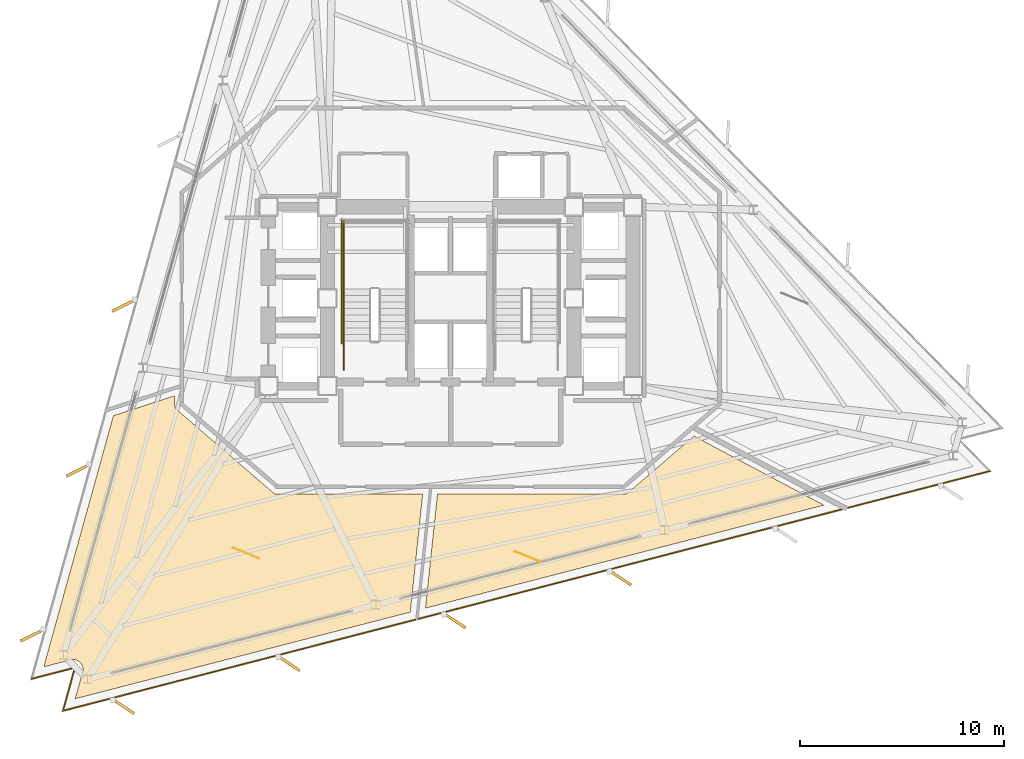
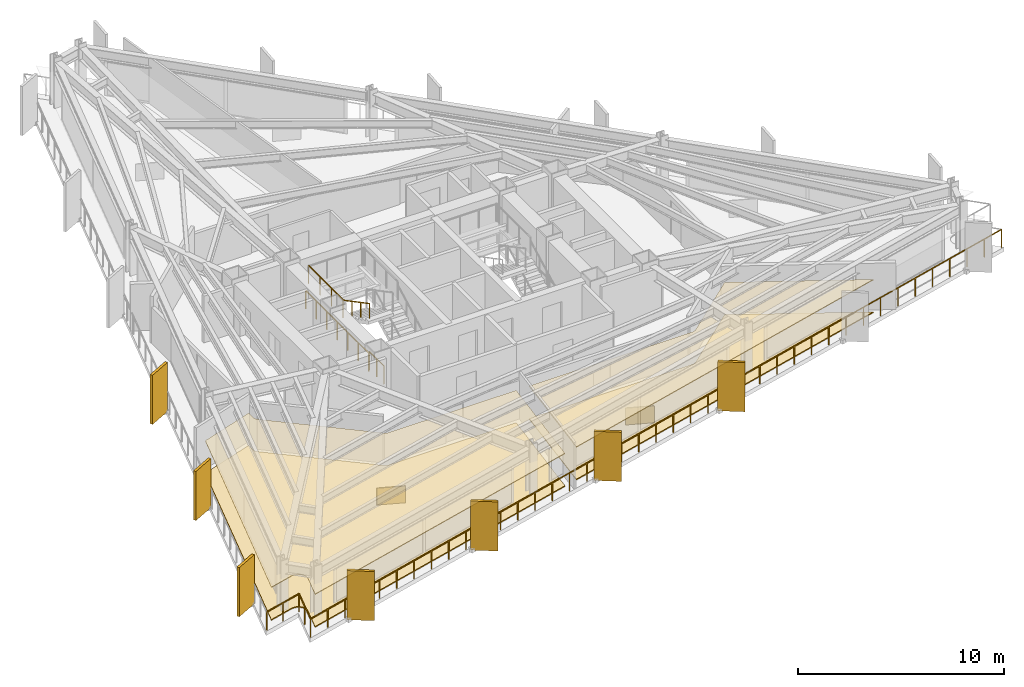
# One storey, part 9 of 11: 7 shading devices, 6 coverings, 5 railings.
"""IFC4 building model written with IfcOpenShell, lengths in metres."""

import ifcopenshell
import ifcopenshell.guid

model = None  # the IFC model being written
_history = None  # IfcOwnerHistory: only IFC2X3 demands one
_inside = {}  # id of a spatial element -> (the spatial element, [elements in it])
_under = {}  # id of a project, library or spatial element -> (it, [spatial elements below it])
_declared = {}  # id of a project -> (the project, [libraries it declares])
_typed = {}  # id of a type object -> (the type object, [elements of that type])
_made_of = {}  # id of a material, layer set ... -> (it, [elements and type objects made of it])


def new_model(schema):
    """Start an empty IFC model of exactly this schema.

    Asked for "IFC4X3", IfcOpenShell would pick the latest addendum, in which some entities
    have other attributes; the version numbers below select the first issue.
    IFC2X3 requires an IfcOwnerHistory on every rooted entity: one is made here for all.
    """
    global model, _history
    if schema == "IFC4X3":
        model = ifcopenshell.file(schema_version=(4, 3, 0, 0))
    else:
        model = ifcopenshell.file(schema=schema)
    _inside.clear()
    _under.clear()
    _declared.clear()
    _typed.clear()
    _made_of.clear()
    _history = None
    if model.schema == "IFC2X3":
        org = make("IfcOrganization", Name="unknown")
        user = make(
            "IfcPersonAndOrganization",
            ThePerson=make("IfcPerson", FamilyName="unknown"),
            TheOrganization=org,
        )
        app = make(
            "IfcApplication",
            ApplicationDeveloper=org,
            Version="unknown",
            ApplicationFullName="unknown",
            ApplicationIdentifier="unknown",
        )
        _history = make(
            "IfcOwnerHistory",
            OwningUser=user,
            OwningApplication=app,
            ChangeAction="ADDED",
            CreationDate=0,
        )
    return model


def make(cls, **values):
    """One entity of the class cls with the attributes given. An attribute that is None is left unset."""
    return model.create_entity(
        cls, **{name: value for name, value in values.items() if value is not None}
    )


def rooted(cls, **values):
    """An entity with a GlobalId (a new one), such as an element, a storey or a relation."""
    return make(cls, GlobalId=ifcopenshell.guid.new(), OwnerHistory=_history, **values)


def si_unit(unit_type, name, prefix=None):
    """IfcSIUnit, for example si_unit("LENGTHUNIT", "METRE", prefix="MILLI")."""
    return make("IfcSIUnit", UnitType=unit_type, Prefix=prefix, Name=name)


def assignment(units):
    """IfcUnitAssignment: the units of a project."""
    return None if units is None else make("IfcUnitAssignment", Units=units)


def point(xyz):
    """IfcCartesianPoint."""
    return None if xyz is None else make("IfcCartesianPoint", Coordinates=xyz)


def direction(xyz):
    """IfcDirection."""
    return None if xyz is None else make("IfcDirection", DirectionRatios=xyz)


def frame(location, z_axis=None, x_axis=None):
    """IfcAxis2Placement3D, a coordinate frame: its origin and axes. An axis left out is left unset."""
    return make(
        "IfcAxis2Placement3D",
        Location=point(location),
        Axis=direction(z_axis),
        RefDirection=direction(x_axis),
    )


def frame_2d(location, x_axis=None):
    """IfcAxis2Placement2D, a coordinate frame in the plane: its origin and x axis."""
    return make(
        "IfcAxis2Placement2D", Location=point(location), RefDirection=direction(x_axis)
    )


def origin():
    """The frame at (0, 0, 0) with its axes left unset."""
    return frame((0.0, 0.0, 0.0))


def origin_2d():
    """The frame at (0, 0) in the plane with its x axis left unset."""
    return frame_2d((0.0, 0.0))


def place(relative_to, where):
    """IfcLocalPlacement: puts the frame where relative to a parent placement (None: the world)."""
    return make(
        "IfcLocalPlacement", PlacementRelTo=relative_to, RelativePlacement=where
    )


def context(
    kind, dimensions, precision=None, world=None, true_north=None, identifier=None
):
    """IfcGeometricRepresentationContext, for example the 3D "Model" context."""
    return make(
        "IfcGeometricRepresentationContext",
        ContextIdentifier=identifier,
        ContextType=kind,
        CoordinateSpaceDimension=dimensions,
        Precision=precision,
        WorldCoordinateSystem=world,
        TrueNorth=true_north,
    )


def subcontext(parent, identifier, kind, view, scale=None):
    """IfcGeometricRepresentationSubContext, for example "Body" below "Model"."""
    return make(
        "IfcGeometricRepresentationSubContext",
        ContextIdentifier=identifier,
        ContextType=kind,
        ParentContext=parent,
        TargetScale=scale,
        TargetView=view,
    )


def project(units=None, contexts=None):
    """IfcProject with its units and contexts."""
    return rooted(
        "IfcProject",
        Name="project",
        RepresentationContexts=contexts,
        UnitsInContext=assignment(units),
    )


def spatial(cls, under=None, at=None, **own):
    """A site, building, storey or space (cls), placed at a placement, below another one or the project."""
    s = rooted(cls, ObjectPlacement=at, **own)
    if under is not None:
        _under.setdefault(under.id(), (under, []))[1].append(s)
    return s


def polyline(points):
    """IfcPolyline through the points."""
    return make("IfcPolyline", Points=[point(p) for p in points])


def profile(cls, at=None, kind="AREA", **sizes):
    """A parametric profile (cls). Its sizes go by their IFC names, for example OverallWidth=200.0."""
    return make(cls, ProfileType=kind, Position=at, **sizes)


def rectangle(**sizes):
    """IfcRectangleProfileDef."""
    return profile("IfcRectangleProfileDef", **sizes)


def outline(outer, holes=None, kind="AREA"):
    """IfcArbitraryClosedProfileDef: a profile drawn as a closed curve; with holes, ...WithVoids."""
    if holes is None:
        return make("IfcArbitraryClosedProfileDef", ProfileType=kind, OuterCurve=outer)
    return make(
        "IfcArbitraryProfileDefWithVoids",
        ProfileType=kind,
        OuterCurve=outer,
        InnerCurves=holes,
    )


def extrude(swept, where, along, depth):
    """IfcExtrudedAreaSolid: the profile swept, set in the frame where, extruded along a direction by depth."""
    return make(
        "IfcExtrudedAreaSolid",
        SweptArea=swept,
        Position=where,
        ExtrudedDirection=direction(along),
        Depth=depth,
    )


def shape(context_of_items, identifier, shape_type, items):
    """IfcShapeRepresentation: the items that make up one representation, for example the "Body"."""
    return make(
        "IfcShapeRepresentation",
        ContextOfItems=context_of_items,
        RepresentationIdentifier=identifier,
        RepresentationType=shape_type,
        Items=items,
    )


def material(Name=None, Category=None):
    """IfcMaterial."""
    return make("IfcMaterial", Name=Name, Category=Category)


def layer(
    of_material, thickness, ventilated=None, Name=None, Category=None, Priority=None
):
    """IfcMaterialLayer: one layer of a wall or slab, of a material (None: an air gap)."""
    return make(
        "IfcMaterialLayer",
        Material=of_material,
        LayerThickness=thickness,
        IsVentilated=ventilated,
        Name=Name,
        Category=Category,
        Priority=Priority,
    )


def layer_set(layers, Name=None):
    """IfcMaterialLayerSet."""
    return make("IfcMaterialLayerSet", MaterialLayers=layers, LayerSetName=Name)


def made_of(thing, what):
    """Note that an element or type object is made of a material, layer set ...; save() writes the relation."""
    if what is not None:
        _made_of.setdefault(what.id(), (what, []))[1].append(thing)
    return thing


def type_object(cls, material=None, **own):
    """A type object (cls), such as IfcWallType, which elements share."""
    return made_of(rooted(cls, **own), material)


def element(
    cls,
    number,
    at=None,
    inside=None,
    cuts=None,
    type_object=None,
    material=None,
    context=None,
    identifier="Body",
    shape_type=None,
    held_by="IfcProductDefinitionShape",
    body=None,
    shapes=None,
    **own,
):
    """One element of the class cls, such as IfcWall. Its Tag is "e" and its number.

    at: its placement. inside: the storey or other place that contains it. cuts: it is an
    opening in that element (IfcRelVoidsElement). A single representation is given by context,
    identifier, shape_type and body (its items); several are given by shapes. held_by: the class
    of the entity that holds the representations. save() writes the other relations.
    """
    e = rooted(cls, Tag="e%d" % number, ObjectPlacement=at, **own)
    if body is not None:
        shapes = [shape(context, identifier, shape_type, body)]
    if shapes is not None:
        e.Representation = make(held_by, Representations=shapes)
    if inside is not None:
        _inside.setdefault(inside.id(), (inside, []))[1].append(e)
    if cuts is not None:
        rooted(
            "IfcRelVoidsElement", RelatingBuildingElement=cuts, RelatedOpeningElement=e
        )
    if type_object is not None:
        _typed.setdefault(type_object.id(), (type_object, []))[1].append(e)
    return made_of(e, material)


def aggregate(whole, parts):
    """IfcRelAggregates: a whole, such as a stair, and the parts it consists of."""
    return rooted("IfcRelAggregates", RelatingObject=whole, RelatedObjects=parts)


def save(model, path):
    """Write the relations noted so far, then the file.

    IfcRelAggregates (storeys below a building ...), IfcRelContainedInSpatialStructure (elements
    in a storey), IfcRelDefinesByType, IfcRelAssociatesMaterial and IfcRelDeclares: one each for
    every whole, place, type object, material and project.
    """
    for whole, parts in _under.values():
        aggregate(whole, parts)
    for where, things in _inside.values():
        rooted(
            "IfcRelContainedInSpatialStructure",
            RelatedElements=things,
            RelatingStructure=where,
        )
    for kind, things in _typed.values():
        rooted("IfcRelDefinesByType", RelatedObjects=things, RelatingType=kind)
    for what, things in _made_of.values():
        rooted("IfcRelAssociatesMaterial", RelatedObjects=things, RelatingMaterial=what)
    for by, libraries in _declared.values():
        rooted("IfcRelDeclares", RelatingContext=by, RelatedDefinitions=libraries)
    model.write(path)


model = new_model("IFC4")

# Units and contexts
model_context = context("Model", 3, precision=1e-05, world=origin(), true_north=direction((0.0, 1.0)))
body_context = subcontext(model_context, "Body", "Model", "MODEL_VIEW")
ifc_project = project(units=[si_unit("LENGTHUNIT", "METRE"), si_unit("AREAUNIT", "SQUARE_METRE"), si_unit("VOLUMEUNIT", "CUBIC_METRE"), si_unit("PLANEANGLEUNIT", "RADIAN"), si_unit("MASSUNIT", "GRAM", prefix="KILO")], contexts=[model_context])

# Site, building, storey
site_placement = place(None, origin())
site = spatial("IfcSite", under=ifc_project, at=site_placement, CompositionType="ELEMENT")
building_placement = place(site_placement, origin())
building = spatial("IfcBuilding", under=site, at=building_placement, Name="Rocaltana Carrier Exchange", CompositionType="ELEMENT")
storey_placement = place(building_placement, frame((0.0, 0.0, 85.60009765625)))
storey = spatial("IfcBuildingStorey", under=building, at=storey_placement, Name="L26", CompositionType="ELEMENT", Elevation=85.60009765625)

# Coverings
ifc_material_1 = material(Name="Calcium Sulphate & Aluminium Pedestal", Category="aluminium")
ifc_layer_1 = layer(ifc_material_1, 0.06005859375)
ifc_layer_set_1 = layer_set([ifc_layer_1], Name="Calcium Sulphate & Aluminium Pedestal")
covering_type_1 = type_object("IfcCoveringType", Name="Anti-Static Raised Exchange Access Floor 60", PredefinedType="FLOORING", material=ifc_layer_set_1)
covering_1_placement = place(storey_placement, origin())
element("IfcCovering", 1, at=covering_1_placement, inside=storey, type_object=covering_type_1, Name="L26 Quiet Focus Lounge Finish Floor", PredefinedType="FLOORING", context=body_context, shape_type="SweptSolid", body=[
    extrude(outline(polyline([(-18.068359375, -18.33837890625), (-18.06494140625, -18.324951171875), (-18.060546875, -18.305419921875), (-18.055908203125, -18.278076171875), (-18.05322265625, -18.25830078125), (-18.051513671875, -18.230224609375), (-18.05078125, -18.21044921875), (-18.0517578125, -18.1826171875), (-18.05322265625, -18.16259765625), (-18.056884765625, -18.135009765625), (-18.060302734375, -18.115234375), (-18.066650390625, -18.088134765625), (-18.072265625, -18.069091796875), (-18.081298828125, -18.04248046875), (-18.08837890625, -18.02392578125), (-18.10009765625, -17.99853515625), (-18.109375, -17.98095703125), (-18.123291015625, -17.956787109375), (-18.13427734375, -17.940185546875), (-18.150634765625, -17.91748046875), (-18.1630859375, -17.90185546875), (-18.181640625, -17.881103515625), (-18.195556640625, -17.86669921875), (-18.216064453125, -17.847900390625), (-18.2314453125, -17.835205078125), (-18.25390625, -17.818359375), (-18.270263671875, -17.80712890625), (-18.294189453125, -17.792724609375), (-18.311767578125, -17.783203125), (-18.3369140625, -17.771240234375), (-18.355224609375, -17.763671875), (-18.381591796875, -17.754150390625), (-18.400634765625, -17.748291015625), (-18.427734375, -17.741455078125), (-18.447265625, -17.73779296875), (-18.474853515625, -17.733642578125), (-18.49462890625, -17.731689453125), (-18.522705078125, -17.73046875), (-18.54248046875, -17.73046875), (-18.5703125, -17.73193359375), (-18.59033203125, -17.73388671875), (-18.617919921875, -17.73828125), (-18.637451171875, -17.7421875), (-18.65087890625, -17.74560546875), (-19.97607421875, -18.088134765625), (-16.556640625, -5.758056640625), (-13.56005859375, -4.784423828125), (-13.56005859375, -5.199951171875), (-13.559814453125, -5.21337890625), (-13.559326171875, -5.220947265625), (-13.556884765625, -5.24755859375), (-13.5556640625, -5.255126953125), (-13.550537109375, -5.281494140625), (-13.548828125, -5.288818359375), (-13.541259765625, -5.314453125), (-13.538818359375, -5.32177734375), (-13.52880859375, -5.346435546875), (-13.525634765625, -5.353515625), (-13.51318359375, -5.377197265625), (-13.509521484375, -5.3837890625), (-13.4951171875, -5.40625), (-13.490478515625, -5.41259765625), (-13.47412109375, -5.433349609375), (-13.468994140625, -5.439208984375), (-13.450439453125, -5.45849609375), (-13.44482421875, -5.4638671875), (-13.43505859375, -5.47265625), (-8.735107421875, -9.522705078125), (-8.72412109375, -9.53173828125), (-8.717529296875, -9.53662109375), (-8.6943359375, -9.552978515625), (-8.6875, -9.557373046875), (-8.66259765625, -9.571044921875), (-8.6552734375, -9.57470703125), (-8.629150390625, -9.5859375), (-8.62158203125, -9.5888671875), (-8.594482421875, -9.597412109375), (-8.58642578125, -9.599365234375), (-8.55859375, -9.60498046875), (-8.550537109375, -9.606201171875), (-8.522216796875, -9.609130859375), (-8.51416015625, -9.609619140625), (-8.5, -9.610107421875), (-1.3720703125, -9.610107421875), (-1.980712890625, -15.402099609375), (-18.43408203125, -19.6572265625), (-18.068359375, -18.33837890625)])), origin(), (0.0, 0.0, 1.0), 0.059814453125),
])
covering_2_placement = place(storey_placement, origin())
element("IfcCovering", 2, at=covering_2_placement, inside=storey, type_object=covering_type_1, Name="L26 Cloud Architecture Office Finish Floor", PredefinedType="FLOORING", context=body_context, shape_type="SweptSolid", body=[
    extrude(outline(polyline([(-1.236572265625, -15.209716796875), (-0.648193359375, -9.610107421875), (8.5, -9.610107421875), (8.51416015625, -9.609619140625), (8.522216796875, -9.609130859375), (8.550537109375, -9.606201171875), (8.55859375, -9.60498046875), (8.58642578125, -9.599365234375), (8.594482421875, -9.597412109375), (8.62158203125, -9.5888671875), (8.629150390625, -9.5859375), (8.6552734375, -9.57470703125), (8.66259765625, -9.571044921875), (8.6875, -9.557373046875), (8.6943359375, -9.552978515625), (8.717529296875, -9.53662109375), (8.72412109375, -9.53173828125), (8.735107421875, -9.522705078125), (11.943359375, -6.758056640625), (18.32421875, -10.15087890625), (-1.236572265625, -15.209716796875)])), origin(), (0.0, 0.0, 1.0), 0.059814453125),
])
ifc_material_2 = material(Name="Mineral Fibre & Powder-Coated Aluminium", Category="aluminium")
ifc_layer_2 = layer(ifc_material_2, 0.044921875)
ifc_layer_set_2 = layer_set([ifc_layer_2], Name="Mineral Fibre & Powder-Coated Aluminium")
covering_type_2 = type_object("IfcCoveringType", Name="Micro-Perforated Acoustic Ceiling 45", PredefinedType="CEILING", material=ifc_layer_set_2)
covering_3_placement = place(storey_placement, frame((0.0, 0.0, 1.932861328125)))
element("IfcCovering", 3, at=covering_3_placement, inside=storey, type_object=covering_type_2, Name="L26 Quiet Focus Lounge Acoustic Ceiling", PredefinedType="CEILING", context=body_context, shape_type="SweptSolid", body=[
    extrude(outline(polyline([(-18.068359375, -18.33837890625), (-18.06494140625, -18.324951171875), (-18.060546875, -18.305419921875), (-18.055908203125, -18.278076171875), (-18.05322265625, -18.25830078125), (-18.051513671875, -18.230224609375), (-18.05078125, -18.21044921875), (-18.0517578125, -18.1826171875), (-18.05322265625, -18.16259765625), (-18.056884765625, -18.135009765625), (-18.060302734375, -18.115234375), (-18.066650390625, -18.088134765625), (-18.072265625, -18.069091796875), (-18.081298828125, -18.04248046875), (-18.08837890625, -18.02392578125), (-18.10009765625, -17.99853515625), (-18.109375, -17.98095703125), (-18.123291015625, -17.956787109375), (-18.13427734375, -17.940185546875), (-18.150634765625, -17.91748046875), (-18.1630859375, -17.90185546875), (-18.181640625, -17.881103515625), (-18.195556640625, -17.86669921875), (-18.216064453125, -17.847900390625), (-18.2314453125, -17.835205078125), (-18.25390625, -17.818359375), (-18.270263671875, -17.80712890625), (-18.294189453125, -17.792724609375), (-18.311767578125, -17.783203125), (-18.3369140625, -17.771240234375), (-18.355224609375, -17.763671875), (-18.381591796875, -17.754150390625), (-18.400634765625, -17.748291015625), (-18.427734375, -17.741455078125), (-18.447265625, -17.73779296875), (-18.474853515625, -17.733642578125), (-18.49462890625, -17.731689453125), (-18.522705078125, -17.73046875), (-18.54248046875, -17.73046875), (-18.5703125, -17.73193359375), (-18.59033203125, -17.73388671875), (-18.617919921875, -17.73828125), (-18.637451171875, -17.7421875), (-18.65087890625, -17.74560546875), (-19.97607421875, -18.088134765625), (-16.556640625, -5.758056640625), (-13.56005859375, -4.784423828125), (-13.56005859375, -5.199951171875), (-13.559814453125, -5.21337890625), (-13.559326171875, -5.220947265625), (-13.556884765625, -5.24755859375), (-13.5556640625, -5.255126953125), (-13.550537109375, -5.281494140625), (-13.548828125, -5.288818359375), (-13.541259765625, -5.314453125), (-13.538818359375, -5.32177734375), (-13.52880859375, -5.346435546875), (-13.525634765625, -5.353515625), (-13.51318359375, -5.377197265625), (-13.509521484375, -5.3837890625), (-13.4951171875, -5.40625), (-13.490478515625, -5.41259765625), (-13.47412109375, -5.433349609375), (-13.468994140625, -5.439208984375), (-13.450439453125, -5.45849609375), (-13.44482421875, -5.4638671875), (-13.43505859375, -5.47265625), (-8.735107421875, -9.522705078125), (-8.72412109375, -9.53173828125), (-8.717529296875, -9.53662109375), (-8.6943359375, -9.552978515625), (-8.6875, -9.557373046875), (-8.66259765625, -9.571044921875), (-8.6552734375, -9.57470703125), (-8.629150390625, -9.5859375), (-8.62158203125, -9.5888671875), (-8.594482421875, -9.597412109375), (-8.58642578125, -9.599365234375), (-8.55859375, -9.60498046875), (-8.550537109375, -9.606201171875), (-8.522216796875, -9.609130859375), (-8.51416015625, -9.609619140625), (-8.5, -9.610107421875), (-1.3720703125, -9.610107421875), (-1.980712890625, -15.402099609375), (-18.43408203125, -19.6572265625), (-18.068359375, -18.33837890625)])), origin(), (0.0, 0.0, 1.0), 0.044921875),
])
covering_4_placement = place(storey_placement, frame((0.0, 0.0, 1.932861328125)))
element("IfcCovering", 4, at=covering_4_placement, inside=storey, type_object=covering_type_2, Name="L26 Cloud Architecture Office Acoustic Ceiling", PredefinedType="CEILING", context=body_context, shape_type="SweptSolid", body=[
    extrude(outline(polyline([(-1.236572265625, -15.209716796875), (-0.648193359375, -9.610107421875), (8.5, -9.610107421875), (8.51416015625, -9.609619140625), (8.522216796875, -9.609130859375), (8.550537109375, -9.606201171875), (8.55859375, -9.60498046875), (8.58642578125, -9.599365234375), (8.594482421875, -9.597412109375), (8.62158203125, -9.5888671875), (8.629150390625, -9.5859375), (8.6552734375, -9.57470703125), (8.66259765625, -9.571044921875), (8.6875, -9.557373046875), (8.6943359375, -9.552978515625), (8.717529296875, -9.53662109375), (8.72412109375, -9.53173828125), (8.735107421875, -9.522705078125), (11.943359375, -6.758056640625), (18.32421875, -10.15087890625), (-1.236572265625, -15.209716796875)])), origin(), (0.0, 0.0, 1.0), 0.044921875),
])

# Railings
ifc_material_3 = material(Name="Brushed Architectural Stainless Tube", Category="steel")
ifc_layer_3 = layer(ifc_material_3, 0.048095703125)
ifc_layer_set_3 = layer_set([ifc_layer_3], Name="Brushed Architectural Stainless Tube")
railing_type_1 = type_object("IfcRailingType", Name="Stair Wall Handrail 920", PredefinedType="HANDRAIL", material=ifc_layer_set_3)
railing_1_placement = place(storey_placement, frame((-5.25, 0.4599609375, 1.688720703125)))
element("IfcRailing", 5, at=railing_1_placement, inside=storey, type_object=railing_type_1, Name="L26 ST-1 stair handrail 2", PredefinedType="HANDRAIL", context=body_context, shape_type="SweptSolid", body=[
    extrude(rectangle(XDim=0.048095703125, YDim=0.048095703125, at=origin_2d()), frame((0.0, 0.0, 0.8759765625), z_axis=(0.0, -0.884394423565, 0.466740295633), x_axis=(1.0, 0.0, 0.0)), (0.0, 0.0, 1.0), 2.894775390625),
    extrude(rectangle(XDim=0.0419921875, YDim=0.0419921875, at=origin_2d()), origin(), (0.0, 0.0, 1.0), 0.851806640625),
    extrude(rectangle(XDim=0.0419921875, YDim=0.0419921875, at=origin_2d()), frame((0.0, -0.853271484375, 0.450439453125)), (0.0, 0.0, 1.0), 0.851806640625),
    extrude(rectangle(XDim=0.0419921875, YDim=0.0419921875, at=origin_2d()), frame((0.0, -1.706787109375, 0.900634765625)), (0.0, 0.0, 1.0), 0.851806640625),
    extrude(rectangle(XDim=0.0419921875, YDim=0.0419921875, at=origin_2d()), frame((0.0, -2.56005859375, 1.35107421875)), (0.0, 0.0, 1.0), 0.851806640625),
])
ifc_material_4 = material(Name="Powder-Coated Aluminium 6063-T6", Category="aluminium")
ifc_layer_4 = layer(ifc_material_4, 0.048095703125)
ifc_layer_set_4 = layer_set([ifc_layer_4], Name="Powder-Coated Aluminium 6063-T6")
railing_type_2 = type_object("IfcRailingType", Name="Stair Well Guardrail 1100", PredefinedType="GUARDRAIL", material=ifc_layer_set_4)
railing_2_placement = place(storey_placement, frame((-5.25, 0.4599609375, 1.52001953125)))
element("IfcRailing", 6, at=railing_2_placement, inside=storey, type_object=railing_type_2, Name="L26 ST-1 stair guard 4", PredefinedType="GUARDRAIL", context=body_context, shape_type="SweptSolid", body=[
    extrude(rectangle(XDim=0.048095703125, YDim=0.048095703125, at=origin_2d()), frame((0.0, 0.0, 1.076171875), z_axis=(0.0, 1.0, 0.0), x_axis=(-1.0, 0.0, 0.0)), (0.0, 0.0, 1.0), 3.340087890625),
    extrude(rectangle(XDim=0.0419921875, YDim=0.0419921875, at=origin_2d()), origin(), (0.0, 0.0, 1.0), 1.052001953125),
    extrude(rectangle(XDim=0.0419921875, YDim=0.0419921875, at=origin_2d()), frame((0.0, 1.11328125, 0.0)), (0.0, 0.0, 1.0), 1.052001953125),
    extrude(rectangle(XDim=0.0419921875, YDim=0.0419921875, at=origin_2d()), frame((0.0, 2.226806640625, 0.0)), (0.0, 0.0, 1.0), 1.052001953125),
    extrude(rectangle(XDim=0.0419921875, YDim=0.0419921875, at=origin_2d()), frame((0.0, 3.340087890625, 0.0)), (0.0, 0.0, 1.0), 1.052001953125),
])
railing_3_placement = place(storey_placement, frame((-5.25, -3.5, 0.0)))
element("IfcRailing", 7, at=railing_3_placement, inside=storey, type_object=railing_type_2, Name="L26 ST-1 stair guard 9", PredefinedType="GUARDRAIL", context=body_context, shape_type="SweptSolid", body=[
    extrude(rectangle(XDim=0.048095703125, YDim=0.048095703125, at=origin_2d()), frame((0.0, 0.0, 1.076171875), z_axis=(0.0, 1.0, 0.0), x_axis=(-1.0, 0.0, 0.0)), (0.0, 0.0, 1.0), 1.39990234375),
    extrude(rectangle(XDim=0.0419921875, YDim=0.0419921875, at=origin_2d()), origin(), (0.0, 0.0, 1.0), 1.052001953125),
    extrude(rectangle(XDim=0.0419921875, YDim=0.0419921875, at=origin_2d()), frame((0.0, 0.699951171875, 0.0)), (0.0, 0.0, 1.0), 1.052001953125),
    extrude(rectangle(XDim=0.0419921875, YDim=0.0419921875, at=origin_2d()), frame((0.0, 1.39990234375, 0.0)), (0.0, 0.0, 1.0), 1.052001953125),
])
railing_4_placement = place(storey_placement, frame((-5.35009765625, -2.199951171875, 0.0)))
element("IfcRailing", 8, at=railing_4_placement, inside=storey, type_object=railing_type_2, Name="L26 ST-1 stair guard 11", PredefinedType="GUARDRAIL", context=body_context, shape_type="SweptSolid", body=[
    extrude(rectangle(XDim=0.048095703125, YDim=0.048095703125, at=origin_2d()), frame((0.0, 0.0, 1.076171875), z_axis=(0.0, 1.0, 0.0), x_axis=(-1.0, 0.0, 0.0)), (0.0, 0.0, 1.0), 6.099853515625),
    extrude(rectangle(XDim=0.0419921875, YDim=0.0419921875, at=origin_2d()), origin(), (0.0, 0.0, 1.0), 1.052001953125),
    extrude(rectangle(XDim=0.0419921875, YDim=0.0419921875, at=origin_2d()), frame((0.0, 1.0166015625, 0.0)), (0.0, 0.0, 1.0), 1.052001953125),
    extrude(rectangle(XDim=0.0419921875, YDim=0.0419921875, at=origin_2d()), frame((0.0, 2.033203125, 0.0)), (0.0, 0.0, 1.0), 1.052001953125),
    extrude(rectangle(XDim=0.0419921875, YDim=0.0419921875, at=origin_2d()), frame((0.0, 3.0498046875, 0.0)), (0.0, 0.0, 1.0), 1.052001953125),
    extrude(rectangle(XDim=0.0419921875, YDim=0.0419921875, at=origin_2d()), frame((0.0, 4.066650390625, 0.0)), (0.0, 0.0, 1.0), 1.052001953125),
    extrude(rectangle(XDim=0.0419921875, YDim=0.0419921875, at=origin_2d()), frame((0.0, 5.083251953125, 0.0)), (0.0, 0.0, 1.0), 1.052001953125),
    extrude(rectangle(XDim=0.0419921875, YDim=0.0419921875, at=origin_2d()), frame((0.0, 6.099853515625, 0.0)), (0.0, 0.0, 1.0), 1.052001953125),
])

# Coverings
ifc_material_5 = material(Name="Honed Piedra Muneca Sandstone", Category="masonry")
ifc_layer_5 = layer(ifc_material_5, 0.034912109375)
ifc_layer_set_5 = layer_set([ifc_layer_5], Name="Honed Piedra Muneca Sandstone")
covering_type_3 = type_object("IfcCoveringType", Name="Stone Facade Cladding 35", PredefinedType="CLADDING", material=ifc_layer_set_5)
for number, where, z_axis, x_axis, name in (
    (9, (-10.05224609375, -12.506103515625, 0.0), (0.0, 0.0, 1.0), (-0.927183854567, 0.374606593416, 0.0), "L26 Stone Facade Cladding Panel 2"),
    (10, (3.78662109375, -12.680419921875, 0.0), (0.0, 0.0, 1.0), (-0.927183854567, 0.374606593416, 0.0), "L26 Stone Facade Cladding Panel 3"),
):
    element("IfcCovering", number, at=place(storey_placement, frame(where, z_axis=z_axis, x_axis=x_axis)), inside=storey, type_object=covering_type_3, Name=name, PredefinedType="CLADDING", context=body_context, shape_type="SweptSolid", body=[
        extrude(rectangle(XDim=1.39990234375, YDim=0.034912109375, at=origin_2d()), origin(), (0.0, 0.0, 1.0), 1.050048828125),
    ])

# Shading devices
ifc_material_6 = material(Name="Honed Bogota Sandstone & Concrete C45/55", Category="masonry")
ifc_layer_6 = layer(ifc_material_6, 0.139892578125)
ifc_layer_set_6 = layer_set([ifc_layer_6], Name="Honed Bogota Sandstone & Concrete C45/55")
shading_device_type = type_object("IfcShadingDeviceType", Name="Vertical Sandstone Shading Fin 1320x140", PredefinedType="USERDEFINED", material=ifc_layer_set_6)
for number, where, z_axis, x_axis, name in (
    (11, (-16.031005859375, -0.34326171875, -0.1201171875), (0.0, 0.0, 1.0), (-0.894934361602, -0.44619781311, 0.0), "L26 Sandstone Vertical Fin F2-04"),
    (12, (-18.27587890625, -8.437744140625, -0.1201171875), (0.0, 0.0, 1.0), (-0.894934361602, -0.44619781311, 0.0), "L26 Sandstone Vertical Fin F2-05"),
    (13, (-20.520751953125, -16.5322265625, -0.1201171875), (0.0, 0.0, 1.0), (-0.894934361602, -0.44619781311, 0.0), "L26 Sandstone Vertical Fin F2-06"),
    (14, (-16.08447265625, -20.021484375, -0.1201171875), (0.0, 0.0, 1.0), (0.833885822067, -0.551936985312, 0.0), "L26 Sandstone Vertical Fin F3-01"),
    (15, (-7.9521484375, -17.918212890625, -0.1201171875), (0.0, 0.0, 1.0), (0.833885822067, -0.551936985312, 0.0), "L26 Sandstone Vertical Fin F3-02"),
    (16, (0.180419921875, -15.81494140625, -0.1201171875), (0.0, 0.0, 1.0), (0.833885822067, -0.551936985312, 0.0), "L26 Sandstone Vertical Fin F3-03"),
    (17, (8.312744140625, -13.7119140625, -0.1201171875), (0.0, 0.0, 1.0), (0.833885822067, -0.551936985312, 0.0), "L26 Sandstone Vertical Fin F3-04"),
):
    element("IfcShadingDevice", number, at=place(storey_placement, frame(where, z_axis=z_axis, x_axis=x_axis)), inside=storey, type_object=shading_device_type, Name=name, ObjectType="FIN", PredefinedType="USERDEFINED", context=body_context, shape_type="SweptSolid", body=[
        extrude(rectangle(XDim=1.320068359375, YDim=0.139892578125, at=origin_2d()), origin(), (0.0, 0.0, 1.0), 2.907958984375),
    ])

# Railing
ifc_material_7 = material(Name="Powder-Coated Aluminium 6063-T6", Category="aluminium")
ifc_layer_7 = layer(ifc_material_7, 0.06005859375)
ifc_layer_set_7 = layer_set([ifc_layer_7], Name="Powder-Coated Aluminium 6063-T6")
railing_type_3 = type_object("IfcRailingType", Name="Wind-Floor & Terrace Perimeter Guardrail 1100", PredefinedType="GUARDRAIL", material=ifc_layer_set_7)
railing_5_placement = place(storey_placement, frame((26.46240234375, -8.47998046875, 0.0)))
element("IfcRailing", 18, at=railing_5_placement, inside=storey, type_object=railing_type_3, Name="L26 Perimeter Balcony Guardrail 1", PredefinedType="GUARDRAIL", context=body_context, shape_type="SweptSolid", body=[
    extrude(rectangle(XDim=0.048095703125, YDim=0.048095703125, at=origin_2d()), frame((0.0, 0.0, 1.076171875), z_axis=(-0.968146868185, -0.250382989886, 0.0), x_axis=(0.250382989886, -0.968146868185, 0.0)), (0.0, 0.0, 1.0), 46.992431640625),
    extrude(rectangle(XDim=0.048095703125, YDim=0.048095703125, at=origin_2d()), frame((-45.49560546875, -11.76611328125, 1.076171875), z_axis=(0.267237446942, 0.96363071088, 0.0), x_axis=(-0.96363071088, 0.267237446942, 0.0)), (0.0, 0.0, 1.0), 2.199951171875),
    extrude(rectangle(XDim=0.048095703125, YDim=0.048095703125, at=origin_2d()), frame((-44.90771484375, -9.646240234375, 1.076171875), z_axis=(-0.968152477167, -0.250361300835, 0.0), x_axis=(0.250361300835, -0.968152477167, 0.0)), (0.0, 0.0, 1.0), 2.199951171875),
    extrude(rectangle(XDim=0.0419921875, YDim=0.0419921875, at=origin_2d()), origin(), (0.0, 0.0, 1.0), 1.052001953125),
    extrude(rectangle(XDim=0.0419921875, YDim=0.0419921875, at=origin_2d()), frame((-1.137451171875, -0.294189453125, 0.0)), (0.0, 0.0, 1.0), 1.052001953125),
    extrude(rectangle(XDim=0.0419921875, YDim=0.0419921875, at=origin_2d()), frame((-2.27490234375, -0.58837890625, 0.0)), (0.0, 0.0, 1.0), 1.052001953125),
    extrude(rectangle(XDim=0.0419921875, YDim=0.0419921875, at=origin_2d()), frame((-3.412109375, -0.882568359375, 0.0)), (0.0, 0.0, 1.0), 1.052001953125),
    extrude(rectangle(XDim=0.0419921875, YDim=0.0419921875, at=origin_2d()), frame((-4.549560546875, -1.176513671875, 0.0)), (0.0, 0.0, 1.0), 1.052001953125),
    extrude(rectangle(XDim=0.0419921875, YDim=0.0419921875, at=origin_2d()), frame((-5.68701171875, -1.470703125, 0.0)), (0.0, 0.0, 1.0), 1.052001953125),
    extrude(rectangle(XDim=0.0419921875, YDim=0.0419921875, at=origin_2d()), frame((-6.82421875, -1.764892578125, 0.0)), (0.0, 0.0, 1.0), 1.052001953125),
    extrude(rectangle(XDim=0.0419921875, YDim=0.0419921875, at=origin_2d()), frame((-7.961669921875, -2.05908203125, 0.0)), (0.0, 0.0, 1.0), 1.052001953125),
    extrude(rectangle(XDim=0.0419921875, YDim=0.0419921875, at=origin_2d()), frame((-9.09912109375, -2.353271484375, 0.0)), (0.0, 0.0, 1.0), 1.052001953125),
    extrude(rectangle(XDim=0.0419921875, YDim=0.0419921875, at=origin_2d()), frame((-10.236572265625, -2.6474609375, 0.0)), (0.0, 0.0, 1.0), 1.052001953125),
    extrude(rectangle(XDim=0.0419921875, YDim=0.0419921875, at=origin_2d()), frame((-11.3740234375, -2.94140625, 0.0)), (0.0, 0.0, 1.0), 1.052001953125),
    extrude(rectangle(XDim=0.0419921875, YDim=0.0419921875, at=origin_2d()), frame((-12.51123046875, -3.235595703125, 0.0)), (0.0, 0.0, 1.0), 1.052001953125),
    extrude(rectangle(XDim=0.0419921875, YDim=0.0419921875, at=origin_2d()), frame((-13.648681640625, -3.52978515625, 0.0)), (0.0, 0.0, 1.0), 1.052001953125),
    extrude(rectangle(XDim=0.0419921875, YDim=0.0419921875, at=origin_2d()), frame((-14.7861328125, -3.823974609375, 0.0)), (0.0, 0.0, 1.0), 1.052001953125),
    extrude(rectangle(XDim=0.0419921875, YDim=0.0419921875, at=origin_2d()), frame((-15.92333984375, -4.1181640625, 0.0)), (0.0, 0.0, 1.0), 1.052001953125),
    extrude(rectangle(XDim=0.0419921875, YDim=0.0419921875, at=origin_2d()), frame((-17.060791015625, -4.412353515625, 0.0)), (0.0, 0.0, 1.0), 1.052001953125),
    extrude(rectangle(XDim=0.0419921875, YDim=0.0419921875, at=origin_2d()), frame((-18.1982421875, -4.70654296875, 0.0)), (0.0, 0.0, 1.0), 1.052001953125),
    extrude(rectangle(XDim=0.0419921875, YDim=0.0419921875, at=origin_2d()), frame((-19.335693359375, -5.00048828125, 0.0)), (0.0, 0.0, 1.0), 1.052001953125),
    extrude(rectangle(XDim=0.0419921875, YDim=0.0419921875, at=origin_2d()), frame((-20.47314453125, -5.294677734375, 0.0)), (0.0, 0.0, 1.0), 1.052001953125),
    extrude(rectangle(XDim=0.0419921875, YDim=0.0419921875, at=origin_2d()), frame((-21.6103515625, -5.5888671875, 0.0)), (0.0, 0.0, 1.0), 1.052001953125),
    extrude(rectangle(XDim=0.0419921875, YDim=0.0419921875, at=origin_2d()), frame((-22.747802734375, -5.883056640625, 0.0)), (0.0, 0.0, 1.0), 1.052001953125),
    extrude(rectangle(XDim=0.0419921875, YDim=0.0419921875, at=origin_2d()), frame((-23.88525390625, -6.17724609375, 0.0)), (0.0, 0.0, 1.0), 1.052001953125),
    extrude(rectangle(XDim=0.0419921875, YDim=0.0419921875, at=origin_2d()), frame((-25.022705078125, -6.471435546875, 0.0)), (0.0, 0.0, 1.0), 1.052001953125),
    extrude(rectangle(XDim=0.0419921875, YDim=0.0419921875, at=origin_2d()), frame((-26.159912109375, -6.765625, 0.0)), (0.0, 0.0, 1.0), 1.052001953125),
    extrude(rectangle(XDim=0.0419921875, YDim=0.0419921875, at=origin_2d()), frame((-27.29736328125, -7.0595703125, 0.0)), (0.0, 0.0, 1.0), 1.052001953125),
    extrude(rectangle(XDim=0.0419921875, YDim=0.0419921875, at=origin_2d()), frame((-28.434814453125, -7.353759765625, 0.0)), (0.0, 0.0, 1.0), 1.052001953125),
    extrude(rectangle(XDim=0.0419921875, YDim=0.0419921875, at=origin_2d()), frame((-29.572265625, -7.64794921875, 0.0)), (0.0, 0.0, 1.0), 1.052001953125),
    extrude(rectangle(XDim=0.0419921875, YDim=0.0419921875, at=origin_2d()), frame((-30.70947265625, -7.942138671875, 0.0)), (0.0, 0.0, 1.0), 1.052001953125),
    extrude(rectangle(XDim=0.0419921875, YDim=0.0419921875, at=origin_2d()), frame((-31.846923828125, -8.236328125, 0.0)), (0.0, 0.0, 1.0), 1.052001953125),
    extrude(rectangle(XDim=0.0419921875, YDim=0.0419921875, at=origin_2d()), frame((-32.984375, -8.530517578125, 0.0)), (0.0, 0.0, 1.0), 1.052001953125),
    extrude(rectangle(XDim=0.0419921875, YDim=0.0419921875, at=origin_2d()), frame((-34.12158203125, -8.82470703125, 0.0)), (0.0, 0.0, 1.0), 1.052001953125),
    extrude(rectangle(XDim=0.0419921875, YDim=0.0419921875, at=origin_2d()), frame((-35.259033203125, -9.11865234375, 0.0)), (0.0, 0.0, 1.0), 1.052001953125),
    extrude(rectangle(XDim=0.0419921875, YDim=0.0419921875, at=origin_2d()), frame((-36.396484375, -9.412841796875, 0.0)), (0.0, 0.0, 1.0), 1.052001953125),
    extrude(rectangle(XDim=0.0419921875, YDim=0.0419921875, at=origin_2d()), frame((-37.533935546875, -9.70703125, 0.0)), (0.0, 0.0, 1.0), 1.052001953125),
    extrude(rectangle(XDim=0.0419921875, YDim=0.0419921875, at=origin_2d()), frame((-38.67138671875, -10.001220703125, 0.0)), (0.0, 0.0, 1.0), 1.052001953125),
    extrude(rectangle(XDim=0.0419921875, YDim=0.0419921875, at=origin_2d()), frame((-39.80859375, -10.29541015625, 0.0)), (0.0, 0.0, 1.0), 1.052001953125),
    extrude(rectangle(XDim=0.0419921875, YDim=0.0419921875, at=origin_2d()), frame((-40.946044921875, -10.589599609375, 0.0)), (0.0, 0.0, 1.0), 1.052001953125),
    extrude(rectangle(XDim=0.0419921875, YDim=0.0419921875, at=origin_2d()), frame((-42.08349609375, -10.883544921875, 0.0)), (0.0, 0.0, 1.0), 1.052001953125),
    extrude(rectangle(XDim=0.0419921875, YDim=0.0419921875, at=origin_2d()), frame((-43.220703125, -11.177734375, 0.0)), (0.0, 0.0, 1.0), 1.052001953125),
    extrude(rectangle(XDim=0.0419921875, YDim=0.0419921875, at=origin_2d()), frame((-44.358154296875, -11.471923828125, 0.0)), (0.0, 0.0, 1.0), 1.052001953125),
    extrude(rectangle(XDim=0.0419921875, YDim=0.0419921875, at=origin_2d()), frame((-45.49560546875, -11.76611328125, 0.0)), (0.0, 0.0, 1.0), 1.052001953125),
    extrude(rectangle(XDim=0.0419921875, YDim=0.0419921875, at=origin_2d()), frame((-45.20166015625, -10.7060546875, 0.0)), (0.0, 0.0, 1.0), 1.052001953125),
    extrude(rectangle(XDim=0.0419921875, YDim=0.0419921875, at=origin_2d()), frame((-44.90771484375, -9.646240234375, 0.0)), (0.0, 0.0, 1.0), 1.052001953125),
    extrude(rectangle(XDim=0.0419921875, YDim=0.0419921875, at=origin_2d()), frame((-45.97265625, -9.921630859375, 0.0)), (0.0, 0.0, 1.0), 1.052001953125),
    extrude(rectangle(XDim=0.0419921875, YDim=0.0419921875, at=origin_2d()), frame((-47.03759765625, -10.197021484375, 0.0)), (0.0, 0.0, 1.0), 1.052001953125),
])

save(model, "model.ifc")
